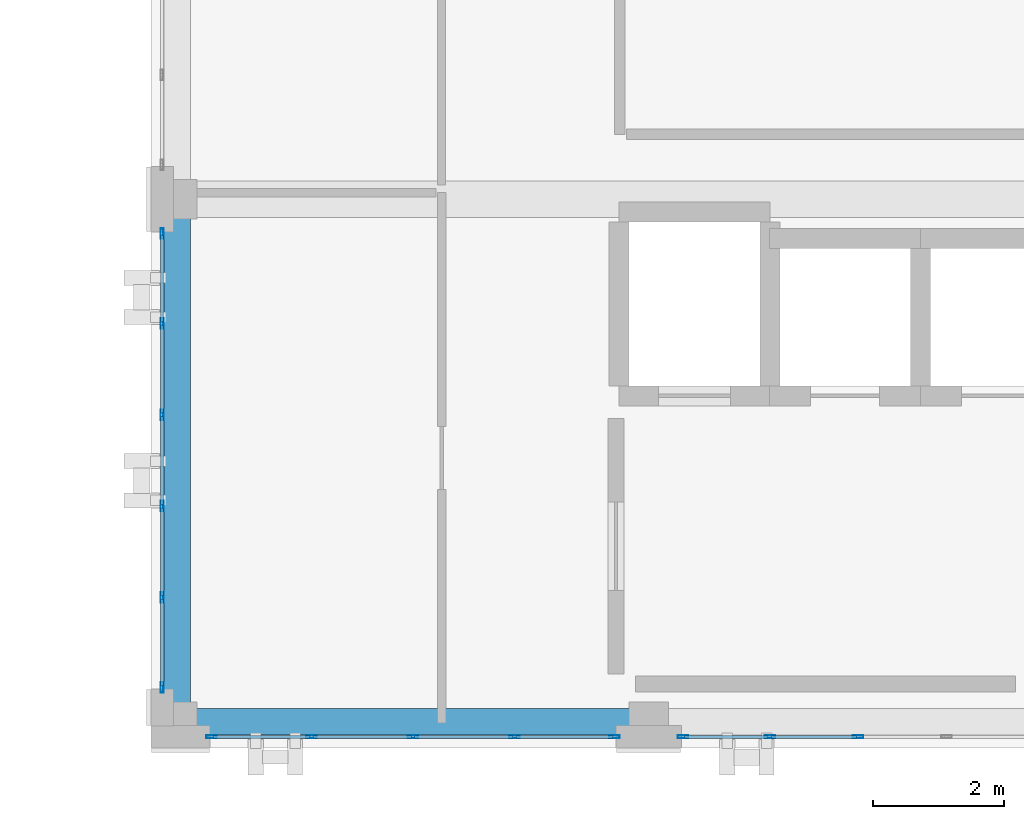
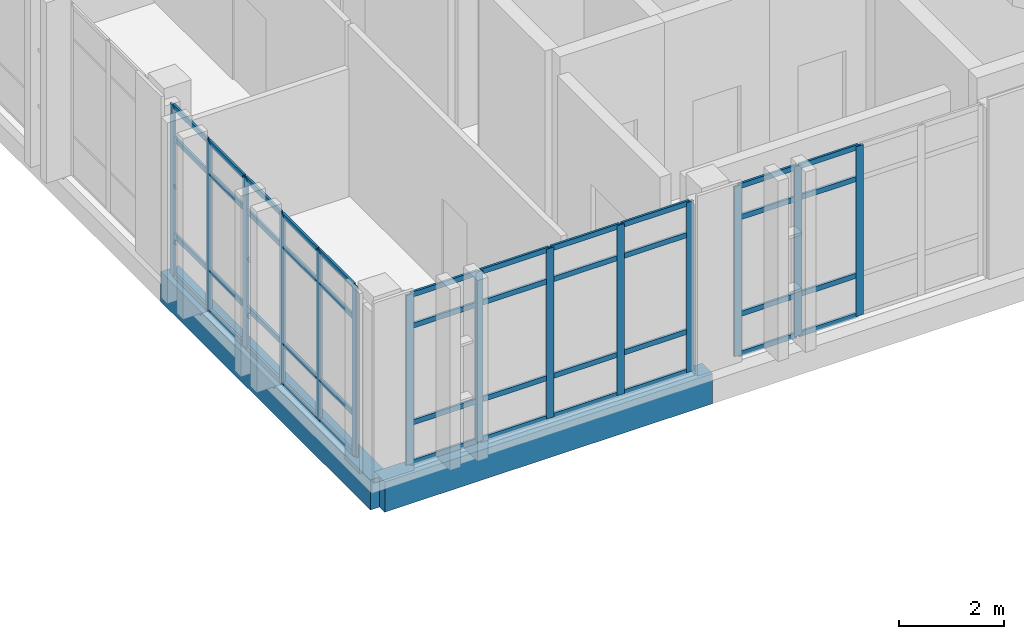
# One storey, part 2 of 22: 58 members, 2 beams, 3 elements without a shape of their own.
"""IFC4 building model written with IfcOpenShell, lengths in metres."""

import ifcopenshell
import ifcopenshell.guid

model = None  # the IFC model being written
_history = None  # IfcOwnerHistory: only IFC2X3 demands one
_inside = {}  # id of a spatial element -> (the spatial element, [elements in it])
_under = {}  # id of a project, library or spatial element -> (it, [spatial elements below it])
_declared = {}  # id of a project -> (the project, [libraries it declares])
_typed = {}  # id of a type object -> (the type object, [elements of that type])
_made_of = {}  # id of a material, layer set ... -> (it, [elements and type objects made of it])


def new_model(schema):
    """Start an empty IFC model of exactly this schema.

    Asked for "IFC4X3", IfcOpenShell would pick the latest addendum, in which some entities
    have other attributes; the version numbers below select the first issue.
    IFC2X3 requires an IfcOwnerHistory on every rooted entity: one is made here for all.
    """
    global model, _history
    if schema == "IFC4X3":
        model = ifcopenshell.file(schema_version=(4, 3, 0, 0))
    else:
        model = ifcopenshell.file(schema=schema)
    _inside.clear()
    _under.clear()
    _declared.clear()
    _typed.clear()
    _made_of.clear()
    _history = None
    if model.schema == "IFC2X3":
        org = make("IfcOrganization", Name="unknown")
        user = make(
            "IfcPersonAndOrganization",
            ThePerson=make("IfcPerson", FamilyName="unknown"),
            TheOrganization=org,
        )
        app = make(
            "IfcApplication",
            ApplicationDeveloper=org,
            Version="unknown",
            ApplicationFullName="unknown",
            ApplicationIdentifier="unknown",
        )
        _history = make(
            "IfcOwnerHistory",
            OwningUser=user,
            OwningApplication=app,
            ChangeAction="ADDED",
            CreationDate=0,
        )
    return model


def make(cls, **values):
    """One entity of the class cls with the attributes given. An attribute that is None is left unset."""
    return model.create_entity(
        cls, **{name: value for name, value in values.items() if value is not None}
    )


def rooted(cls, **values):
    """An entity with a GlobalId (a new one), such as an element, a storey or a relation."""
    return make(cls, GlobalId=ifcopenshell.guid.new(), OwnerHistory=_history, **values)


def si_unit(unit_type, name, prefix=None):
    """IfcSIUnit, for example si_unit("LENGTHUNIT", "METRE", prefix="MILLI")."""
    return make("IfcSIUnit", UnitType=unit_type, Prefix=prefix, Name=name)


def assignment(units):
    """IfcUnitAssignment: the units of a project."""
    return None if units is None else make("IfcUnitAssignment", Units=units)


def point(xyz):
    """IfcCartesianPoint."""
    return None if xyz is None else make("IfcCartesianPoint", Coordinates=xyz)


def direction(xyz):
    """IfcDirection."""
    return None if xyz is None else make("IfcDirection", DirectionRatios=xyz)


def frame(location, z_axis=None, x_axis=None):
    """IfcAxis2Placement3D, a coordinate frame: its origin and axes. An axis left out is left unset."""
    return make(
        "IfcAxis2Placement3D",
        Location=point(location),
        Axis=direction(z_axis),
        RefDirection=direction(x_axis),
    )


def frame_2d(location, x_axis=None):
    """IfcAxis2Placement2D, a coordinate frame in the plane: its origin and x axis."""
    return make(
        "IfcAxis2Placement2D", Location=point(location), RefDirection=direction(x_axis)
    )


def origin():
    """The frame at (0, 0, 0) with its axes left unset."""
    return frame((0.0, 0.0, 0.0))


def origin_2d():
    """The frame at (0, 0) in the plane with its x axis left unset."""
    return frame_2d((0.0, 0.0))


def place(relative_to, where):
    """IfcLocalPlacement: puts the frame where relative to a parent placement (None: the world)."""
    return make(
        "IfcLocalPlacement", PlacementRelTo=relative_to, RelativePlacement=where
    )


def context(
    kind, dimensions, precision=None, world=None, true_north=None, identifier=None
):
    """IfcGeometricRepresentationContext, for example the 3D "Model" context."""
    return make(
        "IfcGeometricRepresentationContext",
        ContextIdentifier=identifier,
        ContextType=kind,
        CoordinateSpaceDimension=dimensions,
        Precision=precision,
        WorldCoordinateSystem=world,
        TrueNorth=true_north,
    )


def subcontext(parent, identifier, kind, view, scale=None):
    """IfcGeometricRepresentationSubContext, for example "Body" below "Model"."""
    return make(
        "IfcGeometricRepresentationSubContext",
        ContextIdentifier=identifier,
        ContextType=kind,
        ParentContext=parent,
        TargetScale=scale,
        TargetView=view,
    )


def project(units=None, contexts=None):
    """IfcProject with its units and contexts."""
    return rooted(
        "IfcProject",
        Name="project",
        RepresentationContexts=contexts,
        UnitsInContext=assignment(units),
    )


def spatial(cls, under=None, at=None, **own):
    """A site, building, storey or space (cls), placed at a placement, below another one or the project."""
    s = rooted(cls, ObjectPlacement=at, **own)
    if under is not None:
        _under.setdefault(under.id(), (under, []))[1].append(s)
    return s


def profile(cls, at=None, kind="AREA", **sizes):
    """A parametric profile (cls). Its sizes go by their IFC names, for example OverallWidth=200.0."""
    return make(cls, ProfileType=kind, Position=at, **sizes)


def rectangle(**sizes):
    """IfcRectangleProfileDef."""
    return profile("IfcRectangleProfileDef", **sizes)


def hollow_rectangle(**sizes):
    """IfcRectangleHollowProfileDef."""
    return profile("IfcRectangleHollowProfileDef", **sizes)


def extrude(swept, where, along, depth):
    """IfcExtrudedAreaSolid: the profile swept, set in the frame where, extruded along a direction by depth."""
    return make(
        "IfcExtrudedAreaSolid",
        SweptArea=swept,
        Position=where,
        ExtrudedDirection=direction(along),
        Depth=depth,
    )


def shape(context_of_items, identifier, shape_type, items):
    """IfcShapeRepresentation: the items that make up one representation, for example the "Body"."""
    return make(
        "IfcShapeRepresentation",
        ContextOfItems=context_of_items,
        RepresentationIdentifier=identifier,
        RepresentationType=shape_type,
        Items=items,
    )


def material(Name=None, Category=None):
    """IfcMaterial."""
    return make("IfcMaterial", Name=Name, Category=Category)


def layer(
    of_material, thickness, ventilated=None, Name=None, Category=None, Priority=None
):
    """IfcMaterialLayer: one layer of a wall or slab, of a material (None: an air gap)."""
    return make(
        "IfcMaterialLayer",
        Material=of_material,
        LayerThickness=thickness,
        IsVentilated=ventilated,
        Name=Name,
        Category=Category,
        Priority=Priority,
    )


def layer_set(layers, Name=None):
    """IfcMaterialLayerSet."""
    return make("IfcMaterialLayerSet", MaterialLayers=layers, LayerSetName=Name)


def material_profile(
    of_material, cross_section, Name=None, Category=None, Priority=None
):
    """IfcMaterialProfile: a cross section and its material."""
    return make(
        "IfcMaterialProfile",
        Name=Name,
        Material=of_material,
        Profile=cross_section,
        Priority=Priority,
        Category=Category,
    )


def profile_set(profiles, Name=None, composite=None):
    """IfcMaterialProfileSet."""
    return make(
        "IfcMaterialProfileSet",
        Name=Name,
        MaterialProfiles=profiles,
        CompositeProfile=composite,
    )


def made_of(thing, what):
    """Note that an element or type object is made of a material, layer set ...; save() writes the relation."""
    if what is not None:
        _made_of.setdefault(what.id(), (what, []))[1].append(thing)
    return thing


def type_object(cls, material=None, **own):
    """A type object (cls), such as IfcWallType, which elements share."""
    return made_of(rooted(cls, **own), material)


def element(
    cls,
    number,
    at=None,
    inside=None,
    cuts=None,
    type_object=None,
    material=None,
    context=None,
    identifier="Body",
    shape_type=None,
    held_by="IfcProductDefinitionShape",
    body=None,
    shapes=None,
    **own,
):
    """One element of the class cls, such as IfcWall. Its Tag is "e" and its number.

    at: its placement. inside: the storey or other place that contains it. cuts: it is an
    opening in that element (IfcRelVoidsElement). A single representation is given by context,
    identifier, shape_type and body (its items); several are given by shapes. held_by: the class
    of the entity that holds the representations. save() writes the other relations.
    """
    e = rooted(cls, Tag="e%d" % number, ObjectPlacement=at, **own)
    if body is not None:
        shapes = [shape(context, identifier, shape_type, body)]
    if shapes is not None:
        e.Representation = make(held_by, Representations=shapes)
    if inside is not None:
        _inside.setdefault(inside.id(), (inside, []))[1].append(e)
    if cuts is not None:
        rooted(
            "IfcRelVoidsElement", RelatingBuildingElement=cuts, RelatedOpeningElement=e
        )
    if type_object is not None:
        _typed.setdefault(type_object.id(), (type_object, []))[1].append(e)
    return made_of(e, material)


def aggregate(whole, parts):
    """IfcRelAggregates: a whole, such as a stair, and the parts it consists of."""
    return rooted("IfcRelAggregates", RelatingObject=whole, RelatedObjects=parts)


def save(model, path):
    """Write the relations noted so far, then the file.

    IfcRelAggregates (storeys below a building ...), IfcRelContainedInSpatialStructure (elements
    in a storey), IfcRelDefinesByType, IfcRelAssociatesMaterial and IfcRelDeclares: one each for
    every whole, place, type object, material and project.
    """
    for whole, parts in _under.values():
        aggregate(whole, parts)
    for where, things in _inside.values():
        rooted(
            "IfcRelContainedInSpatialStructure",
            RelatedElements=things,
            RelatingStructure=where,
        )
    for kind, things in _typed.values():
        rooted("IfcRelDefinesByType", RelatedObjects=things, RelatingType=kind)
    for what, things in _made_of.values():
        rooted("IfcRelAssociatesMaterial", RelatedObjects=things, RelatingMaterial=what)
    for by, libraries in _declared.values():
        rooted("IfcRelDeclares", RelatingContext=by, RelatedDefinitions=libraries)
    model.write(path)


model = new_model("IFC4")

# Units and contexts
model_context = context("Model", 3, precision=1e-05, world=origin(), true_north=direction((0.0, 1.0)))
body_context = subcontext(model_context, "Body", "Model", "MODEL_VIEW")
ifc_project = project(units=[si_unit("LENGTHUNIT", "METRE"), si_unit("AREAUNIT", "SQUARE_METRE"), si_unit("VOLUMEUNIT", "CUBIC_METRE"), si_unit("PLANEANGLEUNIT", "RADIAN"), si_unit("MASSUNIT", "GRAM", prefix="KILO")], contexts=[model_context])

# Site, building, storey
site_placement = place(None, origin())
site = spatial("IfcSite", under=ifc_project, at=site_placement, CompositionType="ELEMENT")
building_placement = place(site_placement, origin())
building = spatial("IfcBuilding", under=site, at=building_placement, Name="Qalavern Law Courts", CompositionType="ELEMENT")
storey_placement = place(building_placement, frame((0.0, 0.0, 35.39990234375)))
storey = spatial("IfcBuildingStorey", under=building, at=storey_placement, Name="L08", CompositionType="ELEMENT", Elevation=35.39990234375)

# Curtain wall, members
ifc_material_1 = material(Name="Anodised aluminium and insulated glazing", Category="aluminium")
ifc_layer = layer(ifc_material_1, 0.159912109375)
ifc_layer_set = layer_set([ifc_layer], Name="Anodised aluminium and insulated glazing")
curtain_wall_type = type_object("IfcCurtainWallType", Name="ENV-CW-CHAMB", PredefinedType="USERDEFINED", material=ifc_layer_set)
curtain_wall_1_placement = place(storey_placement, origin())
curtain_wall_1 = element("IfcCurtainWall", 1, at=curtain_wall_1_placement, inside=storey, type_object=curtain_wall_type, Name="V4 unitised curtain wall L08 south 1", ObjectType="UNITISED CURTAIN WALL", PredefinedType="USERDEFINED")
ifc_material_2 = material(Name="Anodised aluminium", Category="aluminium")
ifc_material_profile_1 = material_profile(ifc_material_2, hollow_rectangle(XDim=0.048095703125, YDim=0.159912109375, WallThickness=0.00390625, at=origin_2d()), Name="ALU MULLION 48x160")
ifc_profile_set_1 = profile_set([ifc_material_profile_1], Name="Anodised aluminium")
member_type_1 = type_object("IfcMemberType", Name="ENV-CWM-48x160", PredefinedType="MULLION", material=ifc_profile_set_1)
member_1_placement = place(storey_placement, frame((85.1240234375, 41.18994140625, 0.0), z_axis=(0.0, 0.0, 1.0), x_axis=(0.0, 1.0, 0.0)))
member_1 = element("IfcMember", 2, at=member_1_placement, type_object=member_type_1, Name="CW-04 mullion 1", PredefinedType="MULLION", context=body_context, shape_type="SweptSolid", body=[
    extrude(hollow_rectangle(XDim=0.048095703125, YDim=0.159912109375, WallThickness=0.00390625, at=origin_2d()), origin(), (0.0, 0.0, 1.0), 3.945068359375),
])
member_2_placement = place(storey_placement, frame((86.64990234375, 41.18994140625, 0.0), z_axis=(0.0, 0.0, 1.0), x_axis=(0.0, 1.0, 0.0)))
member_2 = element("IfcMember", 3, at=member_2_placement, type_object=member_type_1, Name="CW-04 mullion 2", PredefinedType="MULLION", context=body_context, shape_type="SweptSolid", body=[
    extrude(hollow_rectangle(XDim=0.048095703125, YDim=0.159912109375, WallThickness=0.00390625, at=origin_2d()), origin(), (0.0, 0.0, 1.0), 3.945068359375),
])
member_3_placement = place(storey_placement, frame((88.199951171875, 41.18994140625, 0.0), z_axis=(0.0, 0.0, 1.0), x_axis=(0.0, 1.0, 0.0)))
member_3 = element("IfcMember", 4, at=member_3_placement, type_object=member_type_1, Name="CW-04 mullion 3", PredefinedType="MULLION", context=body_context, shape_type="SweptSolid", body=[
    extrude(hollow_rectangle(XDim=0.048095703125, YDim=0.159912109375, WallThickness=0.00390625, at=origin_2d()), origin(), (0.0, 0.0, 1.0), 3.945068359375),
])
member_4_placement = place(storey_placement, frame((89.75, 41.18994140625, 0.0), z_axis=(0.0, 0.0, 1.0), x_axis=(0.0, 1.0, 0.0)))
member_4 = element("IfcMember", 5, at=member_4_placement, type_object=member_type_1, Name="CW-04 mullion 4", PredefinedType="MULLION", context=body_context, shape_type="SweptSolid", body=[
    extrude(hollow_rectangle(XDim=0.048095703125, YDim=0.159912109375, WallThickness=0.00390625, at=origin_2d()), origin(), (0.0, 0.0, 1.0), 3.945068359375),
])
member_5_placement = place(storey_placement, frame((91.27587890625, 41.18994140625, 0.0), z_axis=(0.0, 0.0, 1.0), x_axis=(0.0, 1.0, 0.0)))
member_5 = element("IfcMember", 6, at=member_5_placement, type_object=member_type_1, Name="CW-04 mullion 5", PredefinedType="MULLION", context=body_context, shape_type="SweptSolid", body=[
    extrude(hollow_rectangle(XDim=0.048095703125, YDim=0.159912109375, WallThickness=0.00390625, at=origin_2d()), origin(), (0.0, 0.0, 1.0), 3.945068359375),
])

curtain_wall_2_placement = place(storey_placement, origin())
curtain_wall_2 = element("IfcCurtainWall", 7, at=curtain_wall_2_placement, inside=storey, type_object=curtain_wall_type, Name="V4 unitised curtain wall L08 south 2", ObjectType="UNITISED CURTAIN WALL", PredefinedType="USERDEFINED")
member_6_placement = place(storey_placement, frame((92.323974609375, 41.18994140625, 0.0), z_axis=(0.0, 0.0, 1.0), x_axis=(0.0, 1.0, 0.0)))
member_6 = element("IfcMember", 8, at=member_6_placement, type_object=member_type_1, Name="CW-04 mullion 1", PredefinedType="MULLION", context=body_context, shape_type="SweptSolid", body=[
    extrude(hollow_rectangle(XDim=0.048095703125, YDim=0.159912109375, WallThickness=0.00390625, at=origin_2d()), origin(), (0.0, 0.0, 1.0), 3.945068359375),
])
member_7_placement = place(storey_placement, frame((93.64990234375, 41.18994140625, 0.0), z_axis=(0.0, 0.0, 1.0), x_axis=(0.0, 1.0, 0.0)))
member_7 = element("IfcMember", 9, at=member_7_placement, type_object=member_type_1, Name="CW-04 mullion 2", PredefinedType="MULLION", context=body_context, shape_type="SweptSolid", body=[
    extrude(hollow_rectangle(XDim=0.048095703125, YDim=0.159912109375, WallThickness=0.00390625, at=origin_2d()), origin(), (0.0, 0.0, 1.0), 3.945068359375),
])
member_8_placement = place(storey_placement, frame((95.0, 41.18994140625, 0.0), z_axis=(0.0, 0.0, 1.0), x_axis=(0.0, 1.0, 0.0)))
member_8 = element("IfcMember", 10, at=member_8_placement, type_object=member_type_1, Name="CW-04 mullion 3", PredefinedType="MULLION", context=body_context, shape_type="SweptSolid", body=[
    extrude(hollow_rectangle(XDim=0.048095703125, YDim=0.159912109375, WallThickness=0.00390625, at=origin_2d()), origin(), (0.0, 0.0, 1.0), 3.945068359375),
])

curtain_wall_3_placement = place(storey_placement, origin())
curtain_wall_3 = element("IfcCurtainWall", 11, at=curtain_wall_3_placement, inside=storey, type_object=curtain_wall_type, Name="V4 unitised curtain wall L08 west 4", ObjectType="UNITISED CURTAIN WALL", PredefinedType="USERDEFINED")
member_9_placement = place(storey_placement, frame((84.3701171875, 48.8759765625, 0.0), z_axis=(0.0, 0.0, 1.0), x_axis=(1.0, 0.0, 0.0)))
member_9 = element("IfcMember", 12, at=member_9_placement, type_object=member_type_1, Name="CW-04 mullion 1", PredefinedType="MULLION", context=body_context, shape_type="SweptSolid", body=[
    extrude(hollow_rectangle(XDim=0.048095703125, YDim=0.159912109375, WallThickness=0.00390625, at=origin_2d()), origin(), (0.0, 0.0, 1.0), 3.945068359375),
])
member_10_placement = place(storey_placement, frame((84.3701171875, 47.50390625, 0.0), z_axis=(0.0, 0.0, 1.0), x_axis=(1.0, 0.0, 0.0)))
member_10 = element("IfcMember", 13, at=member_10_placement, type_object=member_type_1, Name="CW-04 mullion 2", PredefinedType="MULLION", context=body_context, shape_type="SweptSolid", body=[
    extrude(hollow_rectangle(XDim=0.048095703125, YDim=0.159912109375, WallThickness=0.00390625, at=origin_2d()), origin(), (0.0, 0.0, 1.0), 3.945068359375),
])
member_11_placement = place(storey_placement, frame((84.3701171875, 46.10791015625, 0.0), z_axis=(0.0, 0.0, 1.0), x_axis=(1.0, 0.0, 0.0)))
member_11 = element("IfcMember", 14, at=member_11_placement, type_object=member_type_1, Name="CW-04 mullion 3", PredefinedType="MULLION", context=body_context, shape_type="SweptSolid", body=[
    extrude(hollow_rectangle(XDim=0.048095703125, YDim=0.159912109375, WallThickness=0.00390625, at=origin_2d()), origin(), (0.0, 0.0, 1.0), 3.945068359375),
])
member_12_placement = place(storey_placement, frame((84.3701171875, 44.7119140625, 0.0), z_axis=(0.0, 0.0, 1.0), x_axis=(1.0, 0.0, 0.0)))
member_12 = element("IfcMember", 15, at=member_12_placement, type_object=member_type_1, Name="CW-04 mullion 4", PredefinedType="MULLION", context=body_context, shape_type="SweptSolid", body=[
    extrude(hollow_rectangle(XDim=0.048095703125, YDim=0.159912109375, WallThickness=0.00390625, at=origin_2d()), origin(), (0.0, 0.0, 1.0), 3.945068359375),
])
member_13_placement = place(storey_placement, frame((84.3701171875, 43.31591796875, 0.0), z_axis=(0.0, 0.0, 1.0), x_axis=(1.0, 0.0, 0.0)))
member_13 = element("IfcMember", 16, at=member_13_placement, type_object=member_type_1, Name="CW-04 mullion 5", PredefinedType="MULLION", context=body_context, shape_type="SweptSolid", body=[
    extrude(hollow_rectangle(XDim=0.048095703125, YDim=0.159912109375, WallThickness=0.00390625, at=origin_2d()), origin(), (0.0, 0.0, 1.0), 3.945068359375),
])
member_14_placement = place(storey_placement, frame((84.3701171875, 41.944091796875, 0.0), z_axis=(0.0, 0.0, 1.0), x_axis=(1.0, 0.0, 0.0)))
member_14 = element("IfcMember", 17, at=member_14_placement, type_object=member_type_1, Name="CW-04 mullion 6", PredefinedType="MULLION", context=body_context, shape_type="SweptSolid", body=[
    extrude(hollow_rectangle(XDim=0.048095703125, YDim=0.159912109375, WallThickness=0.00390625, at=origin_2d()), origin(), (0.0, 0.0, 1.0), 3.945068359375),
])

# Member
ifc_material_profile_2 = material_profile(ifc_material_2, hollow_rectangle(XDim=0.048095703125, YDim=0.1201171875, WallThickness=0.00390625, at=origin_2d()), Name="ALU TRANSOM 48x120")
ifc_profile_set_2 = profile_set([ifc_material_profile_2], Name="Anodised aluminium")
member_type_2 = type_object("IfcMemberType", Name="ENV-CWT-48x120", PredefinedType="USERDEFINED", material=ifc_profile_set_2)
member_15_placement = place(storey_placement, frame((85.14794921875, 41.18994140625, 0.024169921875), z_axis=(1.0, 0.0, 0.0), x_axis=(0.0, 1.0, 0.0)))
member_15 = element("IfcMember", 18, at=member_15_placement, type_object=member_type_2, Name="CW-04 transom 1.1", ObjectType="TRANSOM", PredefinedType="USERDEFINED", context=body_context, shape_type="SweptSolid", body=[
    extrude(hollow_rectangle(XDim=0.048095703125, YDim=0.1201171875, WallThickness=0.00390625, at=origin_2d()), origin(), (0.0, 0.0, 1.0), 1.47802734375),
])

member_16_placement = place(storey_placement, frame((85.14794921875, 41.18994140625, 0.9501953125), z_axis=(1.0, 0.0, 0.0), x_axis=(0.0, 1.0, 0.0)))
member_16 = element("IfcMember", 19, at=member_16_placement, type_object=member_type_2, Name="CW-04 transom 1.2", ObjectType="TRANSOM", PredefinedType="USERDEFINED", context=body_context, shape_type="SweptSolid", body=[
    extrude(hollow_rectangle(XDim=0.048095703125, YDim=0.1201171875, WallThickness=0.00390625, at=origin_2d()), origin(), (0.0, 0.0, 1.0), 1.47802734375),
])

member_17_placement = place(storey_placement, frame((85.14794921875, 41.18994140625, 3.195068359375), z_axis=(1.0, 0.0, 0.0), x_axis=(0.0, 1.0, 0.0)))
member_17 = element("IfcMember", 20, at=member_17_placement, type_object=member_type_2, Name="CW-04 transom 1.3", ObjectType="TRANSOM", PredefinedType="USERDEFINED", context=body_context, shape_type="SweptSolid", body=[
    extrude(hollow_rectangle(XDim=0.048095703125, YDim=0.1201171875, WallThickness=0.00390625, at=origin_2d()), origin(), (0.0, 0.0, 1.0), 1.47802734375),
])

member_18_placement = place(storey_placement, frame((85.14794921875, 41.18994140625, 3.921142578125), z_axis=(1.0, 0.0, 0.0), x_axis=(0.0, 1.0, 0.0)))
member_18 = element("IfcMember", 21, at=member_18_placement, type_object=member_type_2, Name="CW-04 transom 1.4", ObjectType="TRANSOM", PredefinedType="USERDEFINED", context=body_context, shape_type="SweptSolid", body=[
    extrude(hollow_rectangle(XDim=0.048095703125, YDim=0.1201171875, WallThickness=0.00390625, at=origin_2d()), origin(), (0.0, 0.0, 1.0), 1.47802734375),
])

member_19_placement = place(storey_placement, frame((86.674072265625, 41.18994140625, 0.024169921875), z_axis=(1.0, 0.0, 0.0), x_axis=(0.0, 1.0, 0.0)))
member_19 = element("IfcMember", 22, at=member_19_placement, type_object=member_type_2, Name="CW-04 transom 2.1", ObjectType="TRANSOM", PredefinedType="USERDEFINED", context=body_context, shape_type="SweptSolid", body=[
    extrude(hollow_rectangle(XDim=0.048095703125, YDim=0.1201171875, WallThickness=0.00390625, at=origin_2d()), origin(), (0.0, 0.0, 1.0), 1.501953125),
])

member_20_placement = place(storey_placement, frame((86.674072265625, 41.18994140625, 0.9501953125), z_axis=(1.0, 0.0, 0.0), x_axis=(0.0, 1.0, 0.0)))
member_20 = element("IfcMember", 23, at=member_20_placement, type_object=member_type_2, Name="CW-04 transom 2.2", ObjectType="TRANSOM", PredefinedType="USERDEFINED", context=body_context, shape_type="SweptSolid", body=[
    extrude(hollow_rectangle(XDim=0.048095703125, YDim=0.1201171875, WallThickness=0.00390625, at=origin_2d()), origin(), (0.0, 0.0, 1.0), 1.501953125),
])

member_21_placement = place(storey_placement, frame((86.674072265625, 41.18994140625, 3.195068359375), z_axis=(1.0, 0.0, 0.0), x_axis=(0.0, 1.0, 0.0)))
member_21 = element("IfcMember", 24, at=member_21_placement, type_object=member_type_2, Name="CW-04 transom 2.3", ObjectType="TRANSOM", PredefinedType="USERDEFINED", context=body_context, shape_type="SweptSolid", body=[
    extrude(hollow_rectangle(XDim=0.048095703125, YDim=0.1201171875, WallThickness=0.00390625, at=origin_2d()), origin(), (0.0, 0.0, 1.0), 1.501953125),
])

member_22_placement = place(storey_placement, frame((86.674072265625, 41.18994140625, 3.921142578125), z_axis=(1.0, 0.0, 0.0), x_axis=(0.0, 1.0, 0.0)))
member_22 = element("IfcMember", 25, at=member_22_placement, type_object=member_type_2, Name="CW-04 transom 2.4", ObjectType="TRANSOM", PredefinedType="USERDEFINED", context=body_context, shape_type="SweptSolid", body=[
    extrude(hollow_rectangle(XDim=0.048095703125, YDim=0.1201171875, WallThickness=0.00390625, at=origin_2d()), origin(), (0.0, 0.0, 1.0), 1.501953125),
])

member_23_placement = place(storey_placement, frame((88.22412109375, 41.18994140625, 0.024169921875), z_axis=(1.0, 0.0, 0.0), x_axis=(0.0, 1.0, 0.0)))
member_23 = element("IfcMember", 26, at=member_23_placement, type_object=member_type_2, Name="CW-04 transom 3.1", ObjectType="TRANSOM", PredefinedType="USERDEFINED", context=body_context, shape_type="SweptSolid", body=[
    extrude(hollow_rectangle(XDim=0.048095703125, YDim=0.1201171875, WallThickness=0.00390625, at=origin_2d()), origin(), (0.0, 0.0, 1.0), 1.501953125),
])

member_24_placement = place(storey_placement, frame((88.22412109375, 41.18994140625, 0.9501953125), z_axis=(1.0, 0.0, 0.0), x_axis=(0.0, 1.0, 0.0)))
member_24 = element("IfcMember", 27, at=member_24_placement, type_object=member_type_2, Name="CW-04 transom 3.2", ObjectType="TRANSOM", PredefinedType="USERDEFINED", context=body_context, shape_type="SweptSolid", body=[
    extrude(hollow_rectangle(XDim=0.048095703125, YDim=0.1201171875, WallThickness=0.00390625, at=origin_2d()), origin(), (0.0, 0.0, 1.0), 1.501953125),
])

member_25_placement = place(storey_placement, frame((88.22412109375, 41.18994140625, 3.195068359375), z_axis=(1.0, 0.0, 0.0), x_axis=(0.0, 1.0, 0.0)))
member_25 = element("IfcMember", 28, at=member_25_placement, type_object=member_type_2, Name="CW-04 transom 3.3", ObjectType="TRANSOM", PredefinedType="USERDEFINED", context=body_context, shape_type="SweptSolid", body=[
    extrude(hollow_rectangle(XDim=0.048095703125, YDim=0.1201171875, WallThickness=0.00390625, at=origin_2d()), origin(), (0.0, 0.0, 1.0), 1.501953125),
])

member_26_placement = place(storey_placement, frame((88.22412109375, 41.18994140625, 3.921142578125), z_axis=(1.0, 0.0, 0.0), x_axis=(0.0, 1.0, 0.0)))
member_26 = element("IfcMember", 29, at=member_26_placement, type_object=member_type_2, Name="CW-04 transom 3.4", ObjectType="TRANSOM", PredefinedType="USERDEFINED", context=body_context, shape_type="SweptSolid", body=[
    extrude(hollow_rectangle(XDim=0.048095703125, YDim=0.1201171875, WallThickness=0.00390625, at=origin_2d()), origin(), (0.0, 0.0, 1.0), 1.501953125),
])

member_27_placement = place(storey_placement, frame((89.77392578125, 41.18994140625, 0.024169921875), z_axis=(1.0, 0.0, 0.0), x_axis=(0.0, 1.0, 0.0)))
member_27 = element("IfcMember", 30, at=member_27_placement, type_object=member_type_2, Name="CW-04 transom 4.1", ObjectType="TRANSOM", PredefinedType="USERDEFINED", context=body_context, shape_type="SweptSolid", body=[
    extrude(hollow_rectangle(XDim=0.048095703125, YDim=0.1201171875, WallThickness=0.00390625, at=origin_2d()), origin(), (0.0, 0.0, 1.0), 1.47802734375),
])

member_28_placement = place(storey_placement, frame((89.77392578125, 41.18994140625, 0.9501953125), z_axis=(1.0, 0.0, 0.0), x_axis=(0.0, 1.0, 0.0)))
member_28 = element("IfcMember", 31, at=member_28_placement, type_object=member_type_2, Name="CW-04 transom 4.2", ObjectType="TRANSOM", PredefinedType="USERDEFINED", context=body_context, shape_type="SweptSolid", body=[
    extrude(hollow_rectangle(XDim=0.048095703125, YDim=0.1201171875, WallThickness=0.00390625, at=origin_2d()), origin(), (0.0, 0.0, 1.0), 1.47802734375),
])

member_29_placement = place(storey_placement, frame((89.77392578125, 41.18994140625, 3.195068359375), z_axis=(1.0, 0.0, 0.0), x_axis=(0.0, 1.0, 0.0)))
member_29 = element("IfcMember", 32, at=member_29_placement, type_object=member_type_2, Name="CW-04 transom 4.3", ObjectType="TRANSOM", PredefinedType="USERDEFINED", context=body_context, shape_type="SweptSolid", body=[
    extrude(hollow_rectangle(XDim=0.048095703125, YDim=0.1201171875, WallThickness=0.00390625, at=origin_2d()), origin(), (0.0, 0.0, 1.0), 1.47802734375),
])

member_30_placement = place(storey_placement, frame((89.77392578125, 41.18994140625, 3.921142578125), z_axis=(1.0, 0.0, 0.0), x_axis=(0.0, 1.0, 0.0)))
member_30 = element("IfcMember", 33, at=member_30_placement, type_object=member_type_2, Name="CW-04 transom 4.4", ObjectType="TRANSOM", PredefinedType="USERDEFINED", context=body_context, shape_type="SweptSolid", body=[
    extrude(hollow_rectangle(XDim=0.048095703125, YDim=0.1201171875, WallThickness=0.00390625, at=origin_2d()), origin(), (0.0, 0.0, 1.0), 1.47802734375),
])

aggregate(curtain_wall_1, [member_1, member_2, member_3, member_4, member_5, member_15, member_16, member_17, member_18, member_19, member_20, member_21, member_22, member_23, member_24, member_25, member_26, member_27, member_28, member_29, member_30])

member_31_placement = place(storey_placement, frame((92.347900390625, 41.18994140625, 0.024169921875), z_axis=(1.0, 0.0, 0.0), x_axis=(0.0, 1.0, 0.0)))
member_31 = element("IfcMember", 34, at=member_31_placement, type_object=member_type_2, Name="CW-04 transom 1.1", ObjectType="TRANSOM", PredefinedType="USERDEFINED", context=body_context, shape_type="SweptSolid", body=[
    extrude(hollow_rectangle(XDim=0.048095703125, YDim=0.1201171875, WallThickness=0.00390625, at=origin_2d()), origin(), (0.0, 0.0, 1.0), 1.278076171875),
])

member_32_placement = place(storey_placement, frame((92.347900390625, 41.18994140625, 0.9501953125), z_axis=(1.0, 0.0, 0.0), x_axis=(0.0, 1.0, 0.0)))
member_32 = element("IfcMember", 35, at=member_32_placement, type_object=member_type_2, Name="CW-04 transom 1.2", ObjectType="TRANSOM", PredefinedType="USERDEFINED", context=body_context, shape_type="SweptSolid", body=[
    extrude(hollow_rectangle(XDim=0.048095703125, YDim=0.1201171875, WallThickness=0.00390625, at=origin_2d()), origin(), (0.0, 0.0, 1.0), 1.278076171875),
])

member_33_placement = place(storey_placement, frame((92.347900390625, 41.18994140625, 3.195068359375), z_axis=(1.0, 0.0, 0.0), x_axis=(0.0, 1.0, 0.0)))
member_33 = element("IfcMember", 36, at=member_33_placement, type_object=member_type_2, Name="CW-04 transom 1.3", ObjectType="TRANSOM", PredefinedType="USERDEFINED", context=body_context, shape_type="SweptSolid", body=[
    extrude(hollow_rectangle(XDim=0.048095703125, YDim=0.1201171875, WallThickness=0.00390625, at=origin_2d()), origin(), (0.0, 0.0, 1.0), 1.278076171875),
])

member_34_placement = place(storey_placement, frame((92.347900390625, 41.18994140625, 3.921142578125), z_axis=(1.0, 0.0, 0.0), x_axis=(0.0, 1.0, 0.0)))
member_34 = element("IfcMember", 37, at=member_34_placement, type_object=member_type_2, Name="CW-04 transom 1.4", ObjectType="TRANSOM", PredefinedType="USERDEFINED", context=body_context, shape_type="SweptSolid", body=[
    extrude(hollow_rectangle(XDim=0.048095703125, YDim=0.1201171875, WallThickness=0.00390625, at=origin_2d()), origin(), (0.0, 0.0, 1.0), 1.278076171875),
])

member_35_placement = place(storey_placement, frame((93.674072265625, 41.18994140625, 0.024169921875), z_axis=(1.0, 0.0, 0.0), x_axis=(0.0, 1.0, 0.0)))
member_35 = element("IfcMember", 38, at=member_35_placement, type_object=member_type_2, Name="CW-04 transom 2.1", ObjectType="TRANSOM", PredefinedType="USERDEFINED", context=body_context, shape_type="SweptSolid", body=[
    extrude(hollow_rectangle(XDim=0.048095703125, YDim=0.1201171875, WallThickness=0.00390625, at=origin_2d()), origin(), (0.0, 0.0, 1.0), 1.302001953125),
])

member_36_placement = place(storey_placement, frame((93.674072265625, 41.18994140625, 0.9501953125), z_axis=(1.0, 0.0, 0.0), x_axis=(0.0, 1.0, 0.0)))
member_36 = element("IfcMember", 39, at=member_36_placement, type_object=member_type_2, Name="CW-04 transom 2.2", ObjectType="TRANSOM", PredefinedType="USERDEFINED", context=body_context, shape_type="SweptSolid", body=[
    extrude(hollow_rectangle(XDim=0.048095703125, YDim=0.1201171875, WallThickness=0.00390625, at=origin_2d()), origin(), (0.0, 0.0, 1.0), 1.302001953125),
])

member_37_placement = place(storey_placement, frame((93.674072265625, 41.18994140625, 3.195068359375), z_axis=(1.0, 0.0, 0.0), x_axis=(0.0, 1.0, 0.0)))
member_37 = element("IfcMember", 40, at=member_37_placement, type_object=member_type_2, Name="CW-04 transom 2.3", ObjectType="TRANSOM", PredefinedType="USERDEFINED", context=body_context, shape_type="SweptSolid", body=[
    extrude(hollow_rectangle(XDim=0.048095703125, YDim=0.1201171875, WallThickness=0.00390625, at=origin_2d()), origin(), (0.0, 0.0, 1.0), 1.302001953125),
])

member_38_placement = place(storey_placement, frame((93.674072265625, 41.18994140625, 3.921142578125), z_axis=(1.0, 0.0, 0.0), x_axis=(0.0, 1.0, 0.0)))
member_38 = element("IfcMember", 41, at=member_38_placement, type_object=member_type_2, Name="CW-04 transom 2.4", ObjectType="TRANSOM", PredefinedType="USERDEFINED", context=body_context, shape_type="SweptSolid", body=[
    extrude(hollow_rectangle(XDim=0.048095703125, YDim=0.1201171875, WallThickness=0.00390625, at=origin_2d()), origin(), (0.0, 0.0, 1.0), 1.302001953125),
])

aggregate(curtain_wall_2, [member_6, member_7, member_8, member_31, member_32, member_33, member_34, member_35, member_36, member_37, member_38])

member_39_placement = place(storey_placement, frame((84.3701171875, 48.85205078125, 0.024169921875), z_axis=(0.0, -1.0, 0.0), x_axis=(1.0, 0.0, 0.0)))
member_39 = element("IfcMember", 42, at=member_39_placement, type_object=member_type_2, Name="CW-04 transom 1.1", ObjectType="TRANSOM", PredefinedType="USERDEFINED", context=body_context, shape_type="SweptSolid", body=[
    extrude(hollow_rectangle(XDim=0.048095703125, YDim=0.1201171875, WallThickness=0.00390625, at=origin_2d()), origin(), (0.0, 0.0, 1.0), 1.323974609375),
])

member_40_placement = place(storey_placement, frame((84.3701171875, 48.85205078125, 0.9501953125), z_axis=(0.0, -1.0, 0.0), x_axis=(1.0, 0.0, 0.0)))
member_40 = element("IfcMember", 43, at=member_40_placement, type_object=member_type_2, Name="CW-04 transom 1.2", ObjectType="TRANSOM", PredefinedType="USERDEFINED", context=body_context, shape_type="SweptSolid", body=[
    extrude(hollow_rectangle(XDim=0.048095703125, YDim=0.1201171875, WallThickness=0.00390625, at=origin_2d()), origin(), (0.0, 0.0, 1.0), 1.323974609375),
])

member_41_placement = place(storey_placement, frame((84.3701171875, 48.85205078125, 3.195068359375), z_axis=(0.0, -1.0, 0.0), x_axis=(1.0, 0.0, 0.0)))
member_41 = element("IfcMember", 44, at=member_41_placement, type_object=member_type_2, Name="CW-04 transom 1.3", ObjectType="TRANSOM", PredefinedType="USERDEFINED", context=body_context, shape_type="SweptSolid", body=[
    extrude(hollow_rectangle(XDim=0.048095703125, YDim=0.1201171875, WallThickness=0.00390625, at=origin_2d()), origin(), (0.0, 0.0, 1.0), 1.323974609375),
])

member_42_placement = place(storey_placement, frame((84.3701171875, 48.85205078125, 3.921142578125), z_axis=(0.0, -1.0, 0.0), x_axis=(1.0, 0.0, 0.0)))
member_42 = element("IfcMember", 45, at=member_42_placement, type_object=member_type_2, Name="CW-04 transom 1.4", ObjectType="TRANSOM", PredefinedType="USERDEFINED", context=body_context, shape_type="SweptSolid", body=[
    extrude(hollow_rectangle(XDim=0.048095703125, YDim=0.1201171875, WallThickness=0.00390625, at=origin_2d()), origin(), (0.0, 0.0, 1.0), 1.323974609375),
])

member_43_placement = place(storey_placement, frame((84.3701171875, 47.47998046875, 0.024169921875), z_axis=(0.0, -1.0, 0.0), x_axis=(1.0, 0.0, 0.0)))
member_43 = element("IfcMember", 46, at=member_43_placement, type_object=member_type_2, Name="CW-04 transom 2.1", ObjectType="TRANSOM", PredefinedType="USERDEFINED", context=body_context, shape_type="SweptSolid", body=[
    extrude(hollow_rectangle(XDim=0.048095703125, YDim=0.1201171875, WallThickness=0.00390625, at=origin_2d()), origin(), (0.0, 0.0, 1.0), 1.347900390625),
])

member_44_placement = place(storey_placement, frame((84.3701171875, 47.47998046875, 0.9501953125), z_axis=(0.0, -1.0, 0.0), x_axis=(1.0, 0.0, 0.0)))
member_44 = element("IfcMember", 47, at=member_44_placement, type_object=member_type_2, Name="CW-04 transom 2.2", ObjectType="TRANSOM", PredefinedType="USERDEFINED", context=body_context, shape_type="SweptSolid", body=[
    extrude(hollow_rectangle(XDim=0.048095703125, YDim=0.1201171875, WallThickness=0.00390625, at=origin_2d()), origin(), (0.0, 0.0, 1.0), 1.347900390625),
])

member_45_placement = place(storey_placement, frame((84.3701171875, 47.47998046875, 3.195068359375), z_axis=(0.0, -1.0, 0.0), x_axis=(1.0, 0.0, 0.0)))
member_45 = element("IfcMember", 48, at=member_45_placement, type_object=member_type_2, Name="CW-04 transom 2.3", ObjectType="TRANSOM", PredefinedType="USERDEFINED", context=body_context, shape_type="SweptSolid", body=[
    extrude(hollow_rectangle(XDim=0.048095703125, YDim=0.1201171875, WallThickness=0.00390625, at=origin_2d()), origin(), (0.0, 0.0, 1.0), 1.347900390625),
])

member_46_placement = place(storey_placement, frame((84.3701171875, 47.47998046875, 3.921142578125), z_axis=(0.0, -1.0, 0.0), x_axis=(1.0, 0.0, 0.0)))
member_46 = element("IfcMember", 49, at=member_46_placement, type_object=member_type_2, Name="CW-04 transom 2.4", ObjectType="TRANSOM", PredefinedType="USERDEFINED", context=body_context, shape_type="SweptSolid", body=[
    extrude(hollow_rectangle(XDim=0.048095703125, YDim=0.1201171875, WallThickness=0.00390625, at=origin_2d()), origin(), (0.0, 0.0, 1.0), 1.347900390625),
])

member_47_placement = place(storey_placement, frame((84.3701171875, 46.083984375, 0.024169921875), z_axis=(0.0, -1.0, 0.0), x_axis=(1.0, 0.0, 0.0)))
member_47 = element("IfcMember", 50, at=member_47_placement, type_object=member_type_2, Name="CW-04 transom 3.1", ObjectType="TRANSOM", PredefinedType="USERDEFINED", context=body_context, shape_type="SweptSolid", body=[
    extrude(hollow_rectangle(XDim=0.048095703125, YDim=0.1201171875, WallThickness=0.00390625, at=origin_2d()), origin(), (0.0, 0.0, 1.0), 1.347900390625),
])

member_48_placement = place(storey_placement, frame((84.3701171875, 46.083984375, 0.9501953125), z_axis=(0.0, -1.0, 0.0), x_axis=(1.0, 0.0, 0.0)))
member_48 = element("IfcMember", 51, at=member_48_placement, type_object=member_type_2, Name="CW-04 transom 3.2", ObjectType="TRANSOM", PredefinedType="USERDEFINED", context=body_context, shape_type="SweptSolid", body=[
    extrude(hollow_rectangle(XDim=0.048095703125, YDim=0.1201171875, WallThickness=0.00390625, at=origin_2d()), origin(), (0.0, 0.0, 1.0), 1.347900390625),
])

member_49_placement = place(storey_placement, frame((84.3701171875, 46.083984375, 3.195068359375), z_axis=(0.0, -1.0, 0.0), x_axis=(1.0, 0.0, 0.0)))
member_49 = element("IfcMember", 52, at=member_49_placement, type_object=member_type_2, Name="CW-04 transom 3.3", ObjectType="TRANSOM", PredefinedType="USERDEFINED", context=body_context, shape_type="SweptSolid", body=[
    extrude(hollow_rectangle(XDim=0.048095703125, YDim=0.1201171875, WallThickness=0.00390625, at=origin_2d()), origin(), (0.0, 0.0, 1.0), 1.347900390625),
])

member_50_placement = place(storey_placement, frame((84.3701171875, 46.083984375, 3.921142578125), z_axis=(0.0, -1.0, 0.0), x_axis=(1.0, 0.0, 0.0)))
member_50 = element("IfcMember", 53, at=member_50_placement, type_object=member_type_2, Name="CW-04 transom 3.4", ObjectType="TRANSOM", PredefinedType="USERDEFINED", context=body_context, shape_type="SweptSolid", body=[
    extrude(hollow_rectangle(XDim=0.048095703125, YDim=0.1201171875, WallThickness=0.00390625, at=origin_2d()), origin(), (0.0, 0.0, 1.0), 1.347900390625),
])

member_51_placement = place(storey_placement, frame((84.3701171875, 44.68798828125, 0.024169921875), z_axis=(0.0, -1.0, 0.0), x_axis=(1.0, 0.0, 0.0)))
member_51 = element("IfcMember", 54, at=member_51_placement, type_object=member_type_2, Name="CW-04 transom 4.1", ObjectType="TRANSOM", PredefinedType="USERDEFINED", context=body_context, shape_type="SweptSolid", body=[
    extrude(hollow_rectangle(XDim=0.048095703125, YDim=0.1201171875, WallThickness=0.00390625, at=origin_2d()), origin(), (0.0, 0.0, 1.0), 1.347900390625),
])

member_52_placement = place(storey_placement, frame((84.3701171875, 44.68798828125, 0.9501953125), z_axis=(0.0, -1.0, 0.0), x_axis=(1.0, 0.0, 0.0)))
member_52 = element("IfcMember", 55, at=member_52_placement, type_object=member_type_2, Name="CW-04 transom 4.2", ObjectType="TRANSOM", PredefinedType="USERDEFINED", context=body_context, shape_type="SweptSolid", body=[
    extrude(hollow_rectangle(XDim=0.048095703125, YDim=0.1201171875, WallThickness=0.00390625, at=origin_2d()), origin(), (0.0, 0.0, 1.0), 1.347900390625),
])

member_53_placement = place(storey_placement, frame((84.3701171875, 44.68798828125, 3.195068359375), z_axis=(0.0, -1.0, 0.0), x_axis=(1.0, 0.0, 0.0)))
member_53 = element("IfcMember", 56, at=member_53_placement, type_object=member_type_2, Name="CW-04 transom 4.3", ObjectType="TRANSOM", PredefinedType="USERDEFINED", context=body_context, shape_type="SweptSolid", body=[
    extrude(hollow_rectangle(XDim=0.048095703125, YDim=0.1201171875, WallThickness=0.00390625, at=origin_2d()), origin(), (0.0, 0.0, 1.0), 1.347900390625),
])

member_54_placement = place(storey_placement, frame((84.3701171875, 44.68798828125, 3.921142578125), z_axis=(0.0, -1.0, 0.0), x_axis=(1.0, 0.0, 0.0)))
member_54 = element("IfcMember", 57, at=member_54_placement, type_object=member_type_2, Name="CW-04 transom 4.4", ObjectType="TRANSOM", PredefinedType="USERDEFINED", context=body_context, shape_type="SweptSolid", body=[
    extrude(hollow_rectangle(XDim=0.048095703125, YDim=0.1201171875, WallThickness=0.00390625, at=origin_2d()), origin(), (0.0, 0.0, 1.0), 1.347900390625),
])

member_55_placement = place(storey_placement, frame((84.3701171875, 43.2919921875, 0.024169921875), z_axis=(0.0, -1.0, 0.0), x_axis=(1.0, 0.0, 0.0)))
member_55 = element("IfcMember", 58, at=member_55_placement, type_object=member_type_2, Name="CW-04 transom 5.1", ObjectType="TRANSOM", PredefinedType="USERDEFINED", context=body_context, shape_type="SweptSolid", body=[
    extrude(hollow_rectangle(XDim=0.048095703125, YDim=0.1201171875, WallThickness=0.00390625, at=origin_2d()), origin(), (0.0, 0.0, 1.0), 1.323974609375),
])

member_56_placement = place(storey_placement, frame((84.3701171875, 43.2919921875, 0.9501953125), z_axis=(0.0, -1.0, 0.0), x_axis=(1.0, 0.0, 0.0)))
member_56 = element("IfcMember", 59, at=member_56_placement, type_object=member_type_2, Name="CW-04 transom 5.2", ObjectType="TRANSOM", PredefinedType="USERDEFINED", context=body_context, shape_type="SweptSolid", body=[
    extrude(hollow_rectangle(XDim=0.048095703125, YDim=0.1201171875, WallThickness=0.00390625, at=origin_2d()), origin(), (0.0, 0.0, 1.0), 1.323974609375),
])

member_57_placement = place(storey_placement, frame((84.3701171875, 43.2919921875, 3.195068359375), z_axis=(0.0, -1.0, 0.0), x_axis=(1.0, 0.0, 0.0)))
member_57 = element("IfcMember", 60, at=member_57_placement, type_object=member_type_2, Name="CW-04 transom 5.3", ObjectType="TRANSOM", PredefinedType="USERDEFINED", context=body_context, shape_type="SweptSolid", body=[
    extrude(hollow_rectangle(XDim=0.048095703125, YDim=0.1201171875, WallThickness=0.00390625, at=origin_2d()), origin(), (0.0, 0.0, 1.0), 1.323974609375),
])

member_58_placement = place(storey_placement, frame((84.3701171875, 43.2919921875, 3.921142578125), z_axis=(0.0, -1.0, 0.0), x_axis=(1.0, 0.0, 0.0)))
member_58 = element("IfcMember", 61, at=member_58_placement, type_object=member_type_2, Name="CW-04 transom 5.4", ObjectType="TRANSOM", PredefinedType="USERDEFINED", context=body_context, shape_type="SweptSolid", body=[
    extrude(hollow_rectangle(XDim=0.048095703125, YDim=0.1201171875, WallThickness=0.00390625, at=origin_2d()), origin(), (0.0, 0.0, 1.0), 1.323974609375),
])

aggregate(curtain_wall_3, [member_9, member_10, member_11, member_12, member_13, member_14, member_39, member_40, member_41, member_42, member_43, member_44, member_45, member_46, member_47, member_48, member_49, member_50, member_51, member_52, member_53, member_54, member_55, member_56, member_57, member_58])

# Beams
ifc_material_3 = material(Name="Concrete C40/50", Category="concrete")
ifc_material_profile_3 = material_profile(ifc_material_3, rectangle(XDim=0.39990234375, YDim=0.699951171875, at=origin_2d()), Name="RC 400x700")
ifc_profile_set_3 = profile_set([ifc_material_profile_3], Name="Concrete C40/50")
beam_type = type_object("IfcBeamType", Name="STR-SP-RC400x700", PredefinedType="SPANDREL", material=ifc_profile_set_3)
beam_1_placement = place(storey_placement, frame((84.60009765625, 41.419921875, -0.60986328125), z_axis=(1.0, 0.0, 0.0), x_axis=(0.0, 1.0, 0.0)))
element("IfcBeam", 62, at=beam_1_placement, inside=storey, type_object=beam_type, Name="V4 X-beam 1-1 L08", PredefinedType="SPANDREL", context=body_context, shape_type="SweptSolid", body=[
    extrude(rectangle(XDim=0.39990234375, YDim=0.699951171875, at=origin_2d()), origin(), (0.0, 0.0, 1.0), 7.199951171875),
])
beam_2_placement = place(storey_placement, frame((84.60009765625, 41.419921875, -0.60986328125), z_axis=(0.0, 1.0, 0.0), x_axis=(-1.0, 0.0, 0.0)))
element("IfcBeam", 63, at=beam_2_placement, inside=storey, type_object=beam_type, Name="V4 Y-beam 1-1 L08", PredefinedType="SPANDREL", context=body_context, shape_type="SweptSolid", body=[
    extrude(rectangle(XDim=0.39990234375, YDim=0.699951171875, at=origin_2d()), origin(), (0.0, 0.0, 1.0), 7.97998046875),
])

save(model, "model.ifc")
